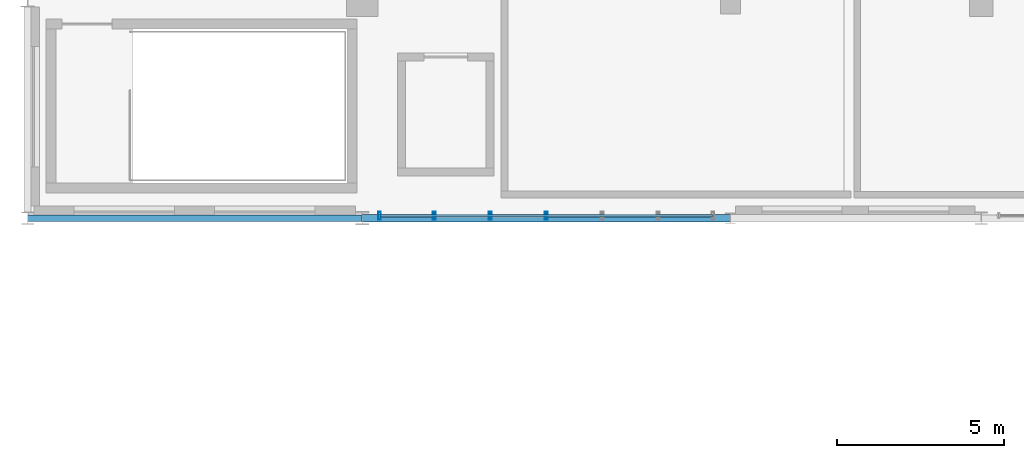
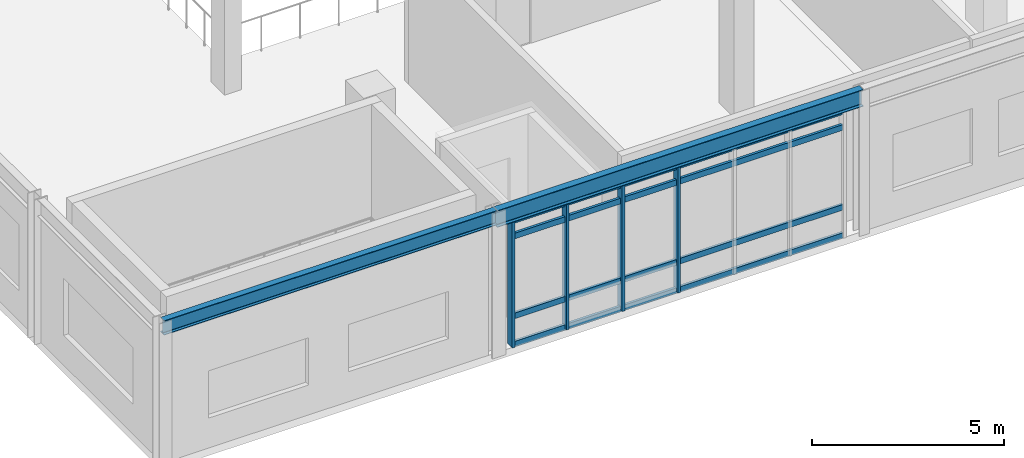
# One storey, part 17 of 200: 8 members, 2 beams, 1 element without a shape of its own.
"""IFC4 building model written with IfcOpenShell, lengths in metres."""

from ifc_helpers import new_model, si_unit, direction, frame, origin, origin_2d, place, context, subcontext, project, spatial, hollow_rectangle, i_section, extrude, material, material_profile, profile_set, type_object, element, aggregate, save


model = new_model("IFC4")

# Units and contexts
model_context = context("Model", 3, precision=1e-05, world=origin(), true_north=direction((0.0, 1.0)))
body_context = subcontext(model_context, "Body", "Model", "MODEL_VIEW")
ifc_project = project(units=[si_unit("LENGTHUNIT", "METRE"), si_unit("AREAUNIT", "SQUARE_METRE"), si_unit("VOLUMEUNIT", "CUBIC_METRE"), si_unit("PLANEANGLEUNIT", "RADIAN"), si_unit("MASSUNIT", "GRAM", prefix="KILO"), si_unit("THERMODYNAMICTEMPERATUREUNIT", "KELVIN"), si_unit("POWERUNIT", "WATT")], contexts=[model_context])

# Site, building, storey
site_placement = place(None, origin())
site = spatial("IfcSite", under=ifc_project, at=site_placement, CompositionType="ELEMENT")
building_placement = place(site_placement, origin())
building = spatial("IfcBuilding", under=site, at=building_placement, Name="Tepalcoro Natatorium and Aquatics Centre", CompositionType="ELEMENT")
storey_placement = place(building_placement, frame((0.0, 0.0, 5.39990234375)))
storey = spatial("IfcBuildingStorey", under=building, at=storey_placement, Name="L01", CompositionType="ELEMENT", Elevation=5.39990234375)

# Curtain wall, members
ifc_material_1 = material(Name="Bronze-Anodised Extruded Aluminium Alloy EN AW-6063 T6", Category="aluminium")
curtain_wall_type = type_object("IfcCurtainWallType", Name="CW_V3_FOYER", PredefinedType="USERDEFINED", material=ifc_material_1)
curtain_wall_placement = place(storey_placement, origin())
curtain_wall = element("IfcCurtainWall", 1, at=curtain_wall_placement, inside=storey, type_object=curtain_wall_type, Name="V3 L01 S Unitised Curtain Wall Bay 2", ObjectType="UNITISED STOREFRONT", PredefinedType="USERDEFINED")
ifc_material_profile_1 = material_profile(ifc_material_1, hollow_rectangle(XDim=0.080078125, YDim=0.239990234375, WallThickness=0.0048828125, at=origin_2d()), Name="AL80X240X5")
ifc_profile_set_1 = profile_set([ifc_material_profile_1], Name="Bronze-Anodised Extruded Aluminium Alloy EN AW-6063 T6")
member_type_1 = type_object("IfcMemberType", Name="CW_MUL_80x240", PredefinedType="MULLION", material=ifc_profile_set_1)
member_1_placement = place(storey_placement, frame((10.52001953125, 6.5712890625, 0.02001953125), z_axis=(0.0, 0.0, 1.0), x_axis=(1.0, 0.0, 0.0)))
member_1 = element("IfcMember", 2, at=member_1_placement, type_object=member_type_1, Name="CW_V3_FOYER Curtain Wall Mullion", PredefinedType="MULLION", context=body_context, shape_type="SweptSolid", body=[
    extrude(hollow_rectangle(XDim=0.080078125, YDim=0.239990234375, WallThickness=0.0048828125, at=origin_2d()), origin(), (0.0, 0.0, 1.0), 3.994140625),
])
member_2_placement = place(storey_placement, frame((12.1533203125, 6.5712890625, 0.02001953125), z_axis=(0.0, 0.0, 1.0), x_axis=(1.0, 0.0, 0.0)))
member_2 = element("IfcMember", 3, at=member_2_placement, type_object=member_type_1, Name="CW_V3_FOYER Curtain Wall Mullion", PredefinedType="MULLION", context=body_context, shape_type="SweptSolid", body=[
    extrude(hollow_rectangle(XDim=0.080078125, YDim=0.239990234375, WallThickness=0.0048828125, at=origin_2d()), origin(), (0.0, 0.0, 1.0), 3.994140625),
])
member_3_placement = place(storey_placement, frame((13.82666015625, 6.5712890625, 0.02001953125), z_axis=(0.0, 0.0, 1.0), x_axis=(1.0, 0.0, 0.0)))
member_3 = element("IfcMember", 4, at=member_3_placement, type_object=member_type_1, Name="CW_V3_FOYER Curtain Wall Mullion", PredefinedType="MULLION", context=body_context, shape_type="SweptSolid", body=[
    extrude(hollow_rectangle(XDim=0.080078125, YDim=0.239990234375, WallThickness=0.0048828125, at=origin_2d()), origin(), (0.0, 0.0, 1.0), 3.994140625),
])
member_4_placement = place(storey_placement, frame((15.5, 6.5712890625, 0.02001953125), z_axis=(0.0, 0.0, 1.0), x_axis=(1.0, 0.0, 0.0)))
member_4 = element("IfcMember", 5, at=member_4_placement, type_object=member_type_1, Name="CW_V3_FOYER Curtain Wall Mullion", PredefinedType="MULLION", context=body_context, shape_type="SweptSolid", body=[
    extrude(hollow_rectangle(XDim=0.080078125, YDim=0.239990234375, WallThickness=0.0048828125, at=origin_2d()), origin(), (0.0, 0.0, 1.0), 3.994140625),
])
ifc_material_profile_2 = material_profile(ifc_material_1, hollow_rectangle(XDim=0.080078125, YDim=0.179931640625, WallThickness=0.0048828125, at=origin_2d()), Name="AL80X180X5")
ifc_profile_set_2 = profile_set([ifc_material_profile_2], Name="Bronze-Anodised Extruded Aluminium Alloy EN AW-6063 T6")
member_type_2 = type_object("IfcMemberType", Name="CW_TRN_80x180", PredefinedType="USERDEFINED", material=ifc_profile_set_2)
member_5_placement = place(storey_placement, frame((10.530029296875, 6.5712890625, 0.050048828125), z_axis=(1.0, 0.0, 0.0), x_axis=(0.0, 1.0, 0.0)))
member_5 = element("IfcMember", 6, at=member_5_placement, type_object=member_type_2, Name="CW_V3_FOYER Curtain Wall Transom", ObjectType="TRANSOM", PredefinedType="USERDEFINED", context=body_context, shape_type="SweptSolid", body=[
    extrude(hollow_rectangle(XDim=0.080078125, YDim=0.179931640625, WallThickness=0.0048828125, at=origin_2d()), origin(), (0.0, 0.0, 1.0), 9.93994140625),
])
member_6_placement = place(storey_placement, frame((10.530029296875, 6.5712890625, 0.9501953125), z_axis=(1.0, 0.0, 0.0), x_axis=(0.0, 1.0, 0.0)))
member_6 = element("IfcMember", 7, at=member_6_placement, type_object=member_type_2, Name="CW_V3_FOYER Curtain Wall Transom", ObjectType="TRANSOM", PredefinedType="USERDEFINED", context=body_context, shape_type="SweptSolid", body=[
    extrude(hollow_rectangle(XDim=0.080078125, YDim=0.179931640625, WallThickness=0.0048828125, at=origin_2d()), origin(), (0.0, 0.0, 1.0), 9.93994140625),
])
member_7_placement = place(storey_placement, frame((10.530029296875, 6.5712890625, 3.484130859375), z_axis=(1.0, 0.0, 0.0), x_axis=(0.0, 1.0, 0.0)))
member_7 = element("IfcMember", 8, at=member_7_placement, type_object=member_type_2, Name="CW_V3_FOYER Curtain Wall Transom", ObjectType="TRANSOM", PredefinedType="USERDEFINED", context=body_context, shape_type="SweptSolid", body=[
    extrude(hollow_rectangle(XDim=0.080078125, YDim=0.179931640625, WallThickness=0.0048828125, at=origin_2d()), origin(), (0.0, 0.0, 1.0), 9.93994140625),
])
member_8_placement = place(storey_placement, frame((10.530029296875, 6.5712890625, 3.984130859375), z_axis=(1.0, 0.0, 0.0), x_axis=(0.0, 1.0, 0.0)))
member_8 = element("IfcMember", 9, at=member_8_placement, type_object=member_type_2, Name="CW_V3_FOYER Curtain Wall Transom", ObjectType="TRANSOM", PredefinedType="USERDEFINED", context=body_context, shape_type="SweptSolid", body=[
    extrude(hollow_rectangle(XDim=0.080078125, YDim=0.179931640625, WallThickness=0.0048828125, at=origin_2d()), origin(), (0.0, 0.0, 1.0), 9.93994140625),
])
aggregate(curtain_wall, [member_1, member_2, member_3, member_4, member_5, member_6, member_7, member_8])

# Beams
ifc_material_2 = material(Name="Steel ASTM A992 Grade 50 (Fy 345 MPa)", Category="steel")
ifc_material_profile_3 = material_profile(ifc_material_2, i_section(OverallWidth=0.19091796875, OverallDepth=0.4599609375, WebThickness=0.010009765625, FlangeThickness=0.01611328125, FilletRadius=0.013916015625, at=origin_2d()), Name="W18X55")
ifc_profile_set_3 = profile_set([ifc_material_profile_3], Name="Steel ASTM A992 Grade 50 (Fy 345 MPa)")
beam_type_1 = type_object("IfcBeamType", Name="SP_W18x55", PredefinedType="SPANDREL", material=ifc_profile_set_3)
beam_1_placement = place(storey_placement, frame((0.0, 6.5, 4.35498046875), z_axis=(1.0, 0.0, 0.0), x_axis=(0.0, 1.0, 0.0)))
element("IfcBeam", 10, at=beam_1_placement, inside=storey, type_object=beam_type_1, Name="V3 L01 Grid Girder X", PredefinedType="SPANDREL", context=body_context, shape_type="SweptSolid", body=[
    extrude(i_section(OverallWidth=0.19091796875, OverallDepth=0.4599609375, WebThickness=0.010009765625, FlangeThickness=0.01611328125, FilletRadius=0.013916015625, at=origin_2d()), origin(), (0.0, 0.0, 1.0), 10.0),
])
ifc_material_profile_4 = material_profile(ifc_material_2, i_section(OverallWidth=0.2099609375, OverallDepth=0.535888671875, WebThickness=0.010986328125, FlangeThickness=0.01708984375, FilletRadius=0.013916015625, at=origin_2d()), Name="W21X68")
ifc_profile_set_4 = profile_set([ifc_material_profile_4], Name="Steel ASTM A992 Grade 50 (Fy 345 MPa)")
beam_type_2 = type_object("IfcBeamType", Name="SP_W21x68", PredefinedType="SPANDREL", material=ifc_profile_set_4)
beam_2_placement = place(storey_placement, frame((10.0, 6.5, 4.317138671875), z_axis=(1.0, 0.0, 0.0), x_axis=(0.0, 1.0, 0.0)))
element("IfcBeam", 11, at=beam_2_placement, inside=storey, type_object=beam_type_2, Name="V3 L01 Grid Girder X", PredefinedType="SPANDREL", context=body_context, shape_type="SweptSolid", body=[
    extrude(i_section(OverallWidth=0.2099609375, OverallDepth=0.535888671875, WebThickness=0.010986328125, FlangeThickness=0.01708984375, FilletRadius=0.013916015625, at=origin_2d()), origin(), (0.0, 0.0, 1.0), 11.0),
])

save(model, "model.ifc")
